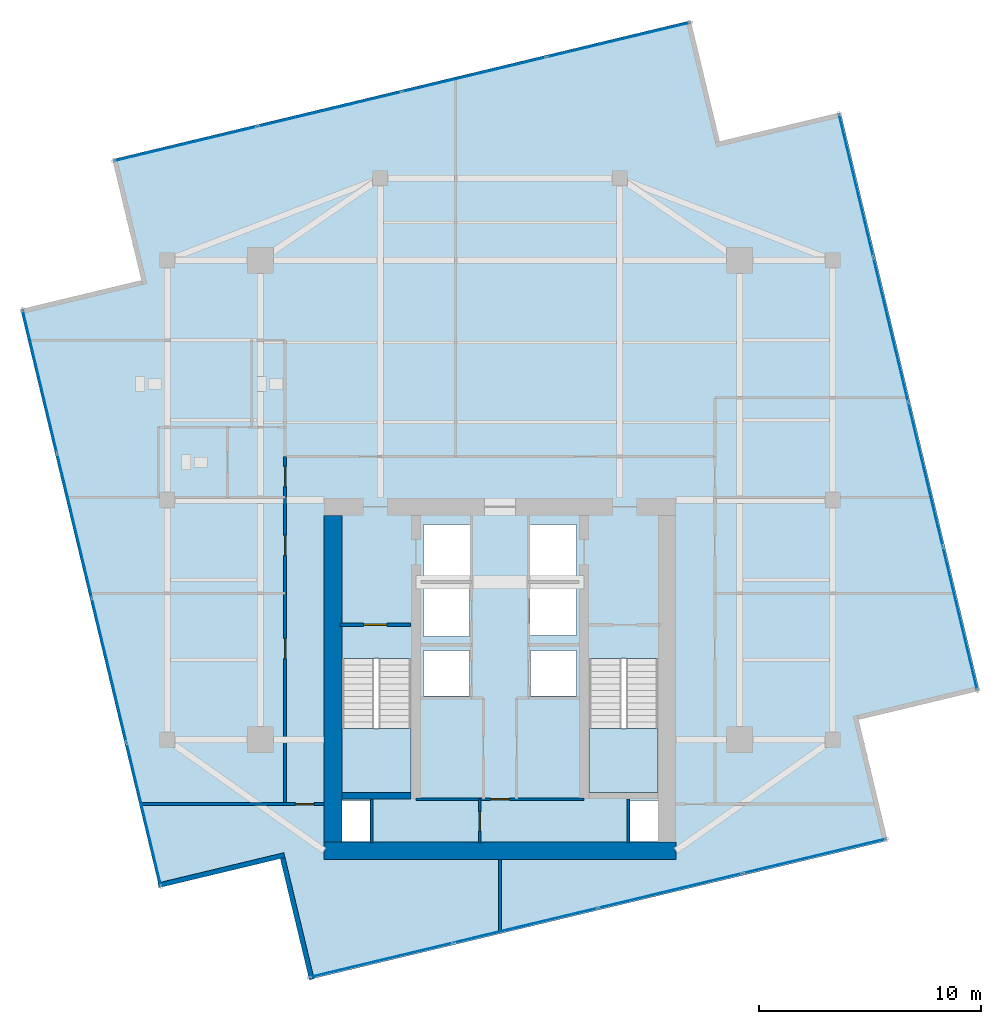
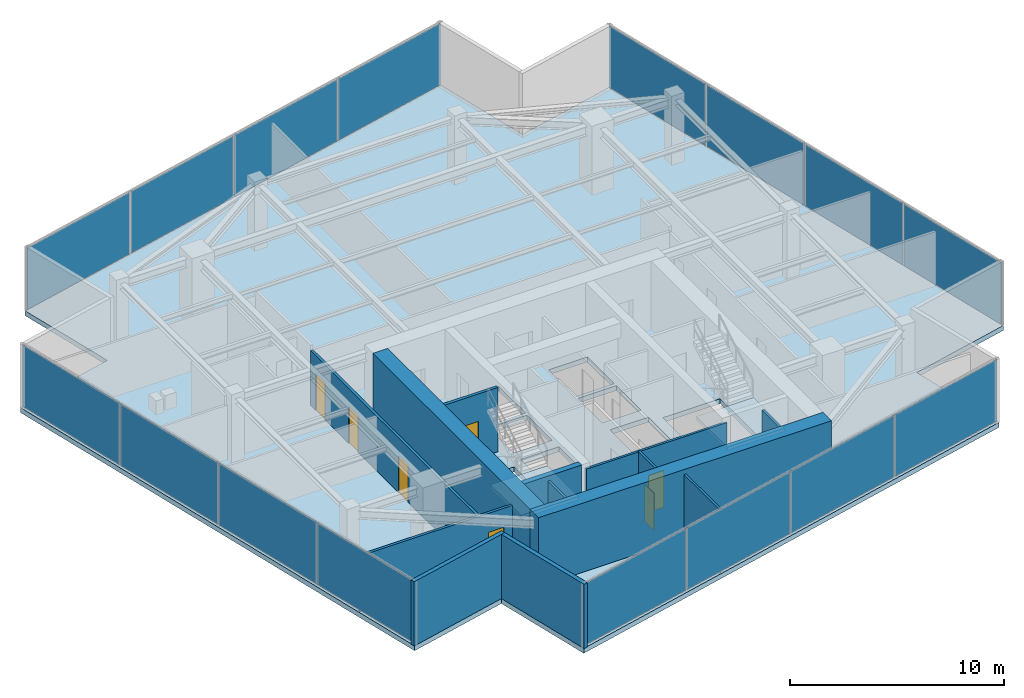
# One storey, part 18 of 22: 16 plates, 13 walls, 7 doors, 3 slabs, 7 openings, 6 elements without a shape of their own.
"""IFC4 building model written with IfcOpenShell, lengths in metres."""

from ifc_helpers import new_model, si_unit, direction, frame, frame_2d, origin, origin_2d, place, context, subcontext, project, spatial, polyline, rectangle, outline, extrude, source, transform, mapped, material, layer, layer_set, type_object, type_shapes, element, fill, aggregate, save


model = new_model("IFC4")

# Units and contexts
model_context = context("Model", 3, precision=1e-05, world=origin(), true_north=direction((0.0, 1.0)))
body_context = subcontext(model_context, "Body", "Model", "MODEL_VIEW")
ifc_project = project(units=[si_unit("LENGTHUNIT", "METRE"), si_unit("AREAUNIT", "SQUARE_METRE"), si_unit("VOLUMEUNIT", "CUBIC_METRE"), si_unit("PLANEANGLEUNIT", "RADIAN"), si_unit("MASSUNIT", "GRAM", prefix="KILO")], contexts=[model_context])

# Site, building, storey
site_placement = place(None, origin())
site = spatial("IfcSite", under=ifc_project, at=site_placement, CompositionType="ELEMENT")
building_placement = place(site_placement, origin())
building = spatial("IfcBuilding", under=site, at=building_placement, Name="Krantzveldt Concourse Tower", CompositionType="ELEMENT")
storey_placement = place(building_placement, frame((0.0, 0.0, 355.35009765625)))
storey = spatial("IfcBuildingStorey", under=building, at=storey_placement, Name="L87", CompositionType="ELEMENT", Elevation=355.35009765625)

# Stair, slab
ifc_material_1 = material(Name="Precast concrete C40/50", Category="concrete")
stair_type = type_object("IfcStairType", Name="STR-CORE-DOGLEG", PredefinedType="HALF_TURN_STAIR", material=ifc_material_1)
stair_1_placement = place(storey_placement, origin())
stair_1 = element("IfcStair", 1, at=stair_1_placement, inside=storey, type_object=stair_type, Name="L87 Protected Escape Stair ST-1", PredefinedType="HALF_TURN_STAIR")
ifc_layer_1 = layer(ifc_material_1, 0.199951171875, Name="Precast concrete C40/50", Category="concrete")
ifc_layer_set_1 = layer_set([ifc_layer_1], Name="Precast concrete C40/50 (SL-LANDING-200)")
slab_type_1 = type_object("IfcSlabType", Name="SL-LANDING-200", PredefinedType="LANDING", material=ifc_layer_set_1)
slab_1_placement = place(storey_placement, frame((0.0, 0.0, 1.77490234375)))
slab_1 = element("IfcSlab", 2, at=slab_1_placement, type_object=slab_type_1, Name="ST-1 landing 1", PredefinedType="LANDING", context=body_context, shape_type="SweptSolid", body=[
    extrude(outline(polyline([(28.8798828125, 16.4150390625), (28.8798828125, 13.52001953125), (31.97998046875, 13.52001953125), (31.97998046875, 16.4150390625), (28.8798828125, 16.4150390625)])), origin(), (0.0, 0.0, 1.0), 0.199951171875),
])
aggregate(stair_1, [slab_1])

stair_2_placement = place(storey_placement, origin())
stair_2 = element("IfcStair", 3, at=stair_2_placement, inside=storey, type_object=stair_type, Name="L87 Protected Escape Stair ST-2", PredefinedType="HALF_TURN_STAIR")
slab_2_placement = place(storey_placement, frame((0.0, 0.0, 1.77490234375)))
slab_2 = element("IfcSlab", 4, at=slab_2_placement, type_object=slab_type_1, Name="ST-2 landing 1", PredefinedType="LANDING", context=body_context, shape_type="SweptSolid", body=[
    extrude(outline(polyline([(40.02001953125, 16.4150390625), (40.02001953125, 13.52001953125), (43.1201171875, 13.52001953125), (43.1201171875, 16.4150390625), (40.02001953125, 16.4150390625)])), origin(), (0.0, 0.0, 1.0), 0.199951171875),
])
aggregate(stair_2, [slab_2])

# Slab
ifc_material_2 = material(Name="Concrete C40/50", Category="concrete")
ifc_layer_2 = layer(ifc_material_2, 0.280029296875, Name="Concrete C40/50", Category="concrete")
ifc_layer_set_2 = layer_set([ifc_layer_2], Name="Concrete C40/50 (SL-SL-TWR280)")
slab_type_2 = type_object("IfcSlabType", Name="SL-SL-TWR280", PredefinedType="FLOOR", material=ifc_layer_set_2)
slab_3_placement = place(storey_placement, frame((0.0, 0.0, -0.280029296875)))
element("IfcSlab", 5, at=slab_3_placement, inside=storey, type_object=slab_type_2, Name="SL-L87-MAIN", PredefinedType="FLOOR", context=body_context, shape_type="SweptSolid", body=[
    extrude(outline(polyline([(45.901611328125, 42.85791015625), (44.59423828125, 48.30322265625), (18.53466796875, 42.046875), (19.842041015625, 36.6015625), (14.396728515625, 35.294189453125), (20.653076171875, 9.23486328125), (26.098388671875, 10.5419921875), (27.40576171875, 5.0966796875), (53.46533203125, 11.35302734375), (52.157958984375, 16.79833984375), (57.603271484375, 18.105712890625), (51.346923828125, 44.165283203125), (45.901611328125, 42.85791015625)]), holes=[polyline([(28.8798828125, 19.547607421875), (28.8798828125, 13.52001953125), (31.97998046875, 13.52001953125), (31.97998046875, 19.547607421875), (28.8798828125, 19.547607421875)]), polyline([(40.02001953125, 19.547607421875), (40.02001953125, 13.52001953125), (43.1201171875, 13.52001953125), (43.1201171875, 19.547607421875), (40.02001953125, 19.547607421875)]), polyline([(32.550048828125, 23.10009765625), (34.64990234375, 23.10009765625), (34.64990234375, 25.60009765625), (32.550048828125, 25.60009765625), (32.550048828125, 23.10009765625)]), polyline([(37.35009765625, 23.10009765625), (39.449951171875, 23.10009765625), (39.449951171875, 25.60009765625), (37.35009765625, 25.60009765625), (37.35009765625, 23.10009765625)]), polyline([(37.35009765625, 20.60009765625), (39.449951171875, 20.60009765625), (39.449951171875, 22.89990234375), (37.35009765625, 22.89990234375), (37.35009765625, 20.60009765625)]), polyline([(32.550048828125, 20.550048828125), (34.6201171875, 20.550048828125), (34.6201171875, 22.89990234375), (32.550048828125, 22.89990234375), (32.550048828125, 20.550048828125)]), polyline([(32.550048828125, 17.8798828125), (34.6201171875, 17.8798828125), (34.6201171875, 19.919921875), (32.550048828125, 19.919921875), (32.550048828125, 17.8798828125)]), polyline([(37.3798828125, 17.8798828125), (39.449951171875, 17.8798828125), (39.449951171875, 19.919921875), (37.3798828125, 19.919921875), (37.3798828125, 17.8798828125)]), polyline([(28.8798828125, 11.320068359375), (30.139892578125, 11.320068359375), (30.139892578125, 13.159912109375), (28.8798828125, 13.159912109375), (28.8798828125, 11.320068359375)]), polyline([(41.860107421875, 11.320068359375), (43.1201171875, 11.320068359375), (43.1201171875, 13.159912109375), (41.860107421875, 13.159912109375), (41.860107421875, 11.320068359375)])]), origin(), (0.0, 0.0, 1.0), 0.280029296875),
])

# Curtain wall, plates
ifc_material_3 = material(Name="Anodised aluminium 6063-T6", Category="aluminium")
curtain_wall_type = type_object("IfcCurtainWallType", Name="CW4", PredefinedType="USERDEFINED", material=ifc_material_3)
curtain_wall_1_placement = place(storey_placement, origin())
curtain_wall_1 = element("IfcCurtainWall", 6, at=curtain_wall_1_placement, inside=storey, type_object=curtain_wall_type, Name="CW-L87-F01", ObjectType="UNITISED CURTAIN WALL", PredefinedType="USERDEFINED")
ifc_material_4 = material(Name="Bronze-tinted laminated low-E IGU glass", Category="glass")
ifc_layer_3 = layer(ifc_material_4, 0.031982421875, Name="Bronze-tinted laminated low-E IGU glass", Category="glass")
ifc_layer_set_3 = layer_set([ifc_layer_3], Name="Bronze-tinted laminated low-E IGU glass (CW-GLZ-32)")
plate_type = type_object("IfcPlateType", Name="CW-GLZ-32", PredefinedType="CURTAIN_PANEL", material=ifc_layer_set_3)
shared_shape_1 = source(origin(), body_context, "Body", "SweptSolid", [
    extrude(rectangle(XDim=6.594970703125, YDim=0.031982421875, at=origin_2d()), origin(), (0.0, 0.0, 1.0), 3.530029296875),
])
plate_1_placement = place(storey_placement, frame((41.3408203125, 47.429443359375, 0.06982421875), z_axis=(0.0, 0.0, 1.0), x_axis=(-0.972369896884, -0.233445461796, 0.0)))
plate_1 = element("IfcPlate", 7, at=plate_1_placement, type_object=plate_type, Name="CW-Z56 panel 1.1", PredefinedType="CURTAIN_PANEL", context=body_context, shape_type="MappedRepresentation", body=[
    mapped(shared_shape_1, transform((0.0, 0.0, 0.0), x_axis=(1.0, 0.0, 0.0), y_axis=(0.0, 1.0, 0.0), z_axis=(0.0, 0.0, 1.0), scale=1.0)),
])
plate_2_placement = place(storey_placement, frame((21.830322265625, 42.745361328125, 0.06982421875), z_axis=(0.0, 0.0, 1.0), x_axis=(-0.972369896884, -0.233445461796, 0.0)))
plate_2 = element("IfcPlate", 8, at=plate_2_placement, type_object=plate_type, Name="CW-Z56 panel 4.1", PredefinedType="CURTAIN_PANEL", context=body_context, shape_type="MappedRepresentation", body=[
    mapped(shared_shape_1, transform((0.0, 0.0, 0.0), x_axis=(1.0, 0.0, 0.0), y_axis=(0.0, 1.0, 0.0), z_axis=(0.0, 0.0, 1.0), scale=1.0)),
])

curtain_wall_2_placement = place(storey_placement, origin())
curtain_wall_2 = element("IfcCurtainWall", 9, at=curtain_wall_2_placement, inside=storey, type_object=curtain_wall_type, Name="CW-L87-F04", ObjectType="UNITISED CURTAIN WALL", PredefinedType="USERDEFINED")
plate_3_placement = place(storey_placement, frame((15.2705078125, 32.040771484375, 0.06982421875), z_axis=(0.0, 0.0, 1.0), x_axis=(0.233445461796, -0.972369896884, 0.0)))
plate_3 = element("IfcPlate", 10, at=plate_3_placement, type_object=plate_type, Name="CW-Z56 panel 1.1", PredefinedType="CURTAIN_PANEL", context=body_context, shape_type="MappedRepresentation", body=[
    mapped(shared_shape_1, transform((0.0, 0.0, 0.0), x_axis=(1.0, 0.0, 0.0), y_axis=(0.0, 1.0, 0.0), z_axis=(0.0, 0.0, 1.0), scale=1.0)),
])
plate_4_placement = place(storey_placement, frame((19.95458984375, 12.5302734375, 0.06982421875), z_axis=(0.0, 0.0, 1.0), x_axis=(0.233445461796, -0.972369896884, 0.0)))
plate_4 = element("IfcPlate", 11, at=plate_4_placement, type_object=plate_type, Name="CW-Z56 panel 4.1", PredefinedType="CURTAIN_PANEL", context=body_context, shape_type="MappedRepresentation", body=[
    mapped(shared_shape_1, transform((0.0, 0.0, 0.0), x_axis=(1.0, 0.0, 0.0), y_axis=(0.0, 1.0, 0.0), z_axis=(0.0, 0.0, 1.0), scale=1.0)),
])

curtain_wall_3_placement = place(storey_placement, origin())
curtain_wall_3 = element("IfcCurtainWall", 12, at=curtain_wall_3_placement, inside=storey, type_object=curtain_wall_type, Name="CW-L87-F07", ObjectType="UNITISED CURTAIN WALL", PredefinedType="USERDEFINED")
plate_5_placement = place(storey_placement, frame((30.6591796875, 5.970458984375, 0.06982421875), z_axis=(0.0, 0.0, 1.0), x_axis=(0.972369896884, 0.233445461796, 0.0)))
plate_5 = element("IfcPlate", 13, at=plate_5_placement, type_object=plate_type, Name="CW-Z56 panel 1.1", PredefinedType="CURTAIN_PANEL", context=body_context, shape_type="MappedRepresentation", body=[
    mapped(shared_shape_1, transform((0.0, 0.0, 0.0), x_axis=(1.0, 0.0, 0.0), y_axis=(0.0, 1.0, 0.0), z_axis=(0.0, 0.0, 1.0), scale=1.0)),
])
plate_6_placement = place(storey_placement, frame((50.169677734375, 10.654541015625, 0.06982421875), z_axis=(0.0, 0.0, 1.0), x_axis=(0.972369896884, 0.233445461796, 0.0)))
plate_6 = element("IfcPlate", 14, at=plate_6_placement, type_object=plate_type, Name="CW-Z56 panel 4.1", PredefinedType="CURTAIN_PANEL", context=body_context, shape_type="MappedRepresentation", body=[
    mapped(shared_shape_1, transform((0.0, 0.0, 0.0), x_axis=(1.0, 0.0, 0.0), y_axis=(0.0, 1.0, 0.0), z_axis=(0.0, 0.0, 1.0), scale=1.0)),
])

curtain_wall_4_placement = place(storey_placement, origin())
curtain_wall_4 = element("IfcCurtainWall", 15, at=curtain_wall_4_placement, inside=storey, type_object=curtain_wall_type, Name="CW-L87-F10", ObjectType="UNITISED CURTAIN WALL", PredefinedType="USERDEFINED")
plate_7_placement = place(storey_placement, frame((56.7294921875, 21.359130859375, 0.06982421875), z_axis=(0.0, 0.0, 1.0), x_axis=(-0.233445461796, 0.972369896884, 0.0)))
plate_7 = element("IfcPlate", 16, at=plate_7_placement, type_object=plate_type, Name="CW-Z56 panel 1.1", PredefinedType="CURTAIN_PANEL", context=body_context, shape_type="MappedRepresentation", body=[
    mapped(shared_shape_1, transform((0.0, 0.0, 0.0), x_axis=(1.0, 0.0, 0.0), y_axis=(0.0, 1.0, 0.0), z_axis=(0.0, 0.0, 1.0), scale=1.0)),
])
plate_8_placement = place(storey_placement, frame((52.04541015625, 40.869873046875, 0.06982421875), z_axis=(0.0, 0.0, 1.0), x_axis=(-0.233445461796, 0.972369896884, 0.0)))
plate_8 = element("IfcPlate", 17, at=plate_8_placement, type_object=plate_type, Name="CW-Z56 panel 4.1", PredefinedType="CURTAIN_PANEL", context=body_context, shape_type="MappedRepresentation", body=[
    mapped(shared_shape_1, transform((0.0, 0.0, 0.0), x_axis=(1.0, 0.0, 0.0), y_axis=(0.0, 1.0, 0.0), z_axis=(0.0, 0.0, 1.0), scale=1.0)),
])

# Plate
shared_shape_2 = source(origin(), body_context, "Body", "SweptSolid", [
    extrude(rectangle(XDim=6.6298828125, YDim=0.031982421875, at=origin_2d()), origin(), (0.0, 0.0, 1.0), 3.530029296875),
])
type_shapes(plate_type, [shared_shape_1, shared_shape_2])
plate_9_placement = place(storey_placement, frame((34.843017578125, 45.86962890625, 0.06982421875), z_axis=(0.0, 0.0, 1.0), x_axis=(-0.972369896884, -0.233445461796, 0.0)))
plate_9 = element("IfcPlate", 18, at=plate_9_placement, type_object=plate_type, Name="CW-Z56 panel 2.1", PredefinedType="CURTAIN_PANEL", context=body_context, shape_type="MappedRepresentation", body=[
    mapped(shared_shape_2, transform((0.0, 0.0, 0.0), x_axis=(1.0, 0.0, 0.0), y_axis=(0.0, 1.0, 0.0), z_axis=(0.0, 0.0, 1.0), scale=1.0)),
])

plate_10_placement = place(storey_placement, frame((28.328125, 44.305419921875, 0.06982421875), z_axis=(0.0, 0.0, 1.0), x_axis=(-0.972369896884, -0.233445461796, 0.0)))
plate_10 = element("IfcPlate", 19, at=plate_10_placement, type_object=plate_type, Name="CW-Z56 panel 3.1", PredefinedType="CURTAIN_PANEL", context=body_context, shape_type="MappedRepresentation", body=[
    mapped(shared_shape_2, transform((0.0, 0.0, 0.0), x_axis=(1.0, 0.0, 0.0), y_axis=(0.0, 1.0, 0.0), z_axis=(0.0, 0.0, 1.0), scale=1.0)),
])

aggregate(curtain_wall_1, [plate_1, plate_9, plate_10, plate_2])

plate_11_placement = place(storey_placement, frame((16.830322265625, 25.54296875, 0.06982421875), z_axis=(0.0, 0.0, 1.0), x_axis=(0.233445461796, -0.972369896884, 0.0)))
plate_11 = element("IfcPlate", 20, at=plate_11_placement, type_object=plate_type, Name="CW-Z56 panel 2.1", PredefinedType="CURTAIN_PANEL", context=body_context, shape_type="MappedRepresentation", body=[
    mapped(shared_shape_2, transform((0.0, 0.0, 0.0), x_axis=(1.0, 0.0, 0.0), y_axis=(0.0, 1.0, 0.0), z_axis=(0.0, 0.0, 1.0), scale=1.0)),
])

plate_12_placement = place(storey_placement, frame((18.39453125, 19.028076171875, 0.06982421875), z_axis=(0.0, 0.0, 1.0), x_axis=(0.233445461796, -0.972369896884, 0.0)))
plate_12 = element("IfcPlate", 21, at=plate_12_placement, type_object=plate_type, Name="CW-Z56 panel 3.1", PredefinedType="CURTAIN_PANEL", context=body_context, shape_type="MappedRepresentation", body=[
    mapped(shared_shape_2, transform((0.0, 0.0, 0.0), x_axis=(1.0, 0.0, 0.0), y_axis=(0.0, 1.0, 0.0), z_axis=(0.0, 0.0, 1.0), scale=1.0)),
])

aggregate(curtain_wall_2, [plate_3, plate_11, plate_12, plate_4])

plate_13_placement = place(storey_placement, frame((37.156982421875, 7.530517578125, 0.06982421875), z_axis=(0.0, 0.0, 1.0), x_axis=(0.972369896884, 0.233445461796, 0.0)))
plate_13 = element("IfcPlate", 22, at=plate_13_placement, type_object=plate_type, Name="CW-Z56 panel 2.1", PredefinedType="CURTAIN_PANEL", context=body_context, shape_type="MappedRepresentation", body=[
    mapped(shared_shape_2, transform((0.0, 0.0, 0.0), x_axis=(1.0, 0.0, 0.0), y_axis=(0.0, 1.0, 0.0), z_axis=(0.0, 0.0, 1.0), scale=1.0)),
])

plate_14_placement = place(storey_placement, frame((43.671875, 9.094482421875, 0.06982421875), z_axis=(0.0, 0.0, 1.0), x_axis=(0.972369896884, 0.233445461796, 0.0)))
plate_14 = element("IfcPlate", 23, at=plate_14_placement, type_object=plate_type, Name="CW-Z56 panel 3.1", PredefinedType="CURTAIN_PANEL", context=body_context, shape_type="MappedRepresentation", body=[
    mapped(shared_shape_2, transform((0.0, 0.0, 0.0), x_axis=(1.0, 0.0, 0.0), y_axis=(0.0, 1.0, 0.0), z_axis=(0.0, 0.0, 1.0), scale=1.0)),
])

aggregate(curtain_wall_3, [plate_5, plate_13, plate_14, plate_6])

plate_15_placement = place(storey_placement, frame((55.169677734375, 27.85693359375, 0.06982421875), z_axis=(0.0, 0.0, 1.0), x_axis=(-0.233445461796, 0.972369896884, 0.0)))
plate_15 = element("IfcPlate", 24, at=plate_15_placement, type_object=plate_type, Name="CW-Z56 panel 2.1", PredefinedType="CURTAIN_PANEL", context=body_context, shape_type="MappedRepresentation", body=[
    mapped(shared_shape_2, transform((0.0, 0.0, 0.0), x_axis=(1.0, 0.0, 0.0), y_axis=(0.0, 1.0, 0.0), z_axis=(0.0, 0.0, 1.0), scale=1.0)),
])

plate_16_placement = place(storey_placement, frame((53.60546875, 34.371826171875, 0.06982421875), z_axis=(0.0, 0.0, 1.0), x_axis=(-0.233445461796, 0.972369896884, 0.0)))
plate_16 = element("IfcPlate", 25, at=plate_16_placement, type_object=plate_type, Name="CW-Z56 panel 3.1", PredefinedType="CURTAIN_PANEL", context=body_context, shape_type="MappedRepresentation", body=[
    mapped(shared_shape_2, transform((0.0, 0.0, 0.0), x_axis=(1.0, 0.0, 0.0), y_axis=(0.0, 1.0, 0.0), z_axis=(0.0, 0.0, 1.0), scale=1.0)),
])

aggregate(curtain_wall_4, [plate_7, plate_15, plate_16, plate_8])

# Walls
ifc_layer_4 = layer(ifc_material_3, 0.219970703125, Name="Anodised aluminium 6063-T6", Category="aluminium")
ifc_layer_set_4 = layer_set([ifc_layer_4], Name="Anodised aluminium 6063-T6 (WL-EXT-NOTCH220)")
wall_type_1 = type_object("IfcWallType", Name="WL-EXT-NOTCH220", PredefinedType="ELEMENTEDWALL", material=ifc_layer_set_4)
wall_1_placement = place(storey_placement, frame((20.603271484375, 9.3359375, 0.0), z_axis=(0.0, 0.0, 1.0), x_axis=(0.972367961768, 0.233453521986, 0.0)))
element("IfcWall", 26, at=wall_1_placement, inside=storey, type_object=wall_type_1, Name="EW-L87-NCH05", PredefinedType="ELEMENTEDWALL", context=body_context, shape_type="SweptSolid", body=[
    extrude(rectangle(XDim=5.844970703125, YDim=0.219970703125, at=frame_2d((2.92236328125, 0.0))), origin(), (0.0, 0.0, 1.0), 3.669921875),
])
wall_2_placement = place(storey_placement, frame((26.205322265625, 10.56787109375, 0.0), z_axis=(0.0, 0.0, 1.0), x_axis=(0.233456668573, -0.972367206306, 0.0)))
element("IfcWall", 27, at=wall_2_placement, inside=storey, type_object=wall_type_1, Name="EW-L87-NCH06", PredefinedType="ELEMENTEDWALL", context=body_context, shape_type="SweptSolid", body=[
    extrude(rectangle(XDim=5.625244140625, YDim=0.219970703125, at=frame_2d((2.8125, 0.0))), origin(), (0.0, 0.0, 1.0), 3.669921875),
])

# Wall, opening, door
ifc_material_5 = material(Name="Fire-rated gypsum plasterboard on steel stud", Category="steel")
ifc_layer_5 = layer(ifc_material_5, 0.1201171875, Name="Fire-rated gypsum plasterboard on steel stud", Category="steel")
ifc_layer_set_5 = layer_set([ifc_layer_5], Name="Fire-rated gypsum plasterboard on steel stud (WL-PART-120)")
wall_type_2 = type_object("IfcWallType", Name="WL-PART-120", PredefinedType="PARTITIONING", material=ifc_layer_set_5)
wall_3_placement = place(storey_placement, frame((32.2099609375, 13.219970703125, 0.0), z_axis=(0.0, 0.0, 1.0), x_axis=(1.0, 0.0, 0.0)))
wall_3 = element("IfcWall", 28, at=wall_3_placement, inside=storey, type_object=wall_type_2, Name="WP-L87-CS2H", PredefinedType="PARTITIONING", context=body_context, shape_type="SweptSolid", body=[
    extrude(rectangle(XDim=7.580078125, YDim=0.1201171875, at=frame_2d((3.7900390625, 0.0))), origin(), (0.0, 0.0, 1.0), 3.669921875),
])
opening_1_placement = place(wall_3_placement, frame((3.364990234375, 0.0, 0.0)))
opening_1 = element("IfcOpeningElement", 29, at=opening_1_placement, cuts=wall_3, Name="Opening D-IN085", PredefinedType="OPENING", context=body_context, shape_type="SweptSolid", body=[
    extrude(rectangle(XDim=0.85009765625, YDim=2.10009765625, at=frame_2d((0.425048828125, 1.050048828125))), frame((0.0, 0.070068359375, 0.0), z_axis=(0.0, -1.0, 0.0), x_axis=(1.0, 0.0, 0.0)), (0.0, 0.0, 1.0), 0.14013671875),
])
ifc_material_6 = material(Name="Hardwood timber", Category="wood")
door_type_1 = type_object("IfcDoorType", Name="DR-INT-850", OperationType="SINGLE_SWING_LEFT", PredefinedType="DOOR", material=ifc_material_6)
door_1_placement = place(opening_1_placement, origin())
door_1 = element("IfcDoor", 30, at=door_1_placement, inside=storey, type_object=door_type_1, Name="DR-L87-LLBS", OperationType="SINGLE_SWING_RIGHT", OverallHeight=2.10009765625, OverallWidth=0.85009765625, PredefinedType="DOOR", context=body_context, shape_type="SweptSolid", body=[
    extrude(rectangle(XDim=0.85009765625, YDim=2.10009765625, at=frame_2d((0.425048828125, 1.050048828125))), frame((0.0, 0.02490234375, 0.0), z_axis=(0.0, -1.0, 0.0), x_axis=(1.0, 0.0, 0.0)), (0.0, 0.0, 1.0), 0.050048828125),
])
fill(opening_1, door_1)

wall_4_placement = place(storey_placement, frame((35.080078125, 11.25, 0.0), z_axis=(0.0, 0.0, 1.0), x_axis=(0.0, 1.0, 0.0)))
wall_4 = element("IfcWall", 31, at=wall_4_placement, inside=storey, type_object=wall_type_2, Name="WP-L87-CSA-V", PredefinedType="PARTITIONING", context=body_context, shape_type="SweptSolid", body=[
    extrude(rectangle(XDim=1.969970703125, YDim=0.1201171875, at=frame_2d((0.98486328125, 0.0))), origin(), (0.0, 0.0, 1.0), 3.669921875),
])
opening_2_placement = place(wall_4_placement, frame((0.544921875, 0.0, 0.0)))
opening_2 = element("IfcOpeningElement", 32, at=opening_2_placement, cuts=wall_4, Name="Opening D-IN085", PredefinedType="OPENING", context=body_context, shape_type="SweptSolid", body=[
    extrude(rectangle(XDim=0.85009765625, YDim=2.10009765625, at=frame_2d((0.425048828125, 1.050048828125))), frame((0.0, 0.070068359375, 0.0), z_axis=(0.0, -1.0, 0.0), x_axis=(1.0, 0.0, 0.0)), (0.0, 0.0, 1.0), 0.14013671875),
])
door_2_placement = place(opening_2_placement, origin())
door_2 = element("IfcDoor", 33, at=door_2_placement, inside=storey, type_object=door_type_1, Name="DR-L87-CSA1", OperationType="SINGLE_SWING_LEFT", OverallHeight=2.10009765625, OverallWidth=0.85009765625, PredefinedType="DOOR", context=body_context, shape_type="SweptSolid", body=[
    extrude(rectangle(XDim=0.85009765625, YDim=2.10009765625, at=frame_2d((0.425048828125, 1.050048828125))), frame((0.0, 0.02490234375, 0.0), z_axis=(0.0, -1.0, 0.0), x_axis=(1.0, 0.0, 0.0)), (0.0, 0.0, 1.0), 0.050048828125),
])
fill(opening_2, door_2)

# Wall
wall_5_placement = place(storey_placement, frame((36.0, 7.252685546875, 0.0), z_axis=(0.0, 0.0, 1.0), x_axis=(0.0, 1.0, 0.0)))
element("IfcWall", 34, at=wall_5_placement, inside=storey, type_object=wall_type_2, Name="WP-L87-SSMD", PredefinedType="PARTITIONING", context=body_context, shape_type="SweptSolid", body=[
    extrude(rectangle(XDim=3.247314453125, YDim=0.1201171875, at=frame_2d((1.62353515625, 0.0))), origin(), (0.0, 0.0, 1.0), 3.669921875),
])

# Wall, openings, doors
ifc_layer_6 = layer(ifc_material_5, 0.139892578125, Name="Fire-rated gypsum plasterboard on steel stud", Category="steel")
ifc_layer_set_6 = layer_set([ifc_layer_6], Name="Fire-rated gypsum plasterboard on steel stud (WL-PART-140)")
wall_type_3 = type_object("IfcWallType", Name="WL-PART-140", PredefinedType="PARTITIONING", material=ifc_layer_set_6)
wall_6_placement = place(storey_placement, frame((26.320068359375, 13.0, 0.0), z_axis=(0.0, 0.0, 1.0), x_axis=(0.0, 1.0, 0.0)))
wall_6 = element("IfcWall", 35, at=wall_6_placement, inside=storey, type_object=wall_type_3, Name="WP-L87-CWEST", PredefinedType="PARTITIONING", context=body_context, shape_type="SweptSolid", body=[
    extrude(rectangle(XDim=15.659912109375, YDim=0.139892578125, at=frame_2d((7.830078125, 0.0))), origin(), (0.0, 0.0, 1.0), 3.1298828125),
])
opening_3_placement = place(wall_6_placement, frame((14.300048828125, 0.0, 0.0)))
opening_3 = element("IfcOpeningElement", 36, at=opening_3_placement, cuts=wall_6, Name="Opening D-IN090", PredefinedType="OPENING", context=body_context, shape_type="SweptSolid", body=[
    extrude(rectangle(XDim=0.89990234375, YDim=2.10009765625, at=frame_2d((0.449951171875, 1.050048828125))), frame((0.0, 0.080078125, 0.0), z_axis=(0.0, -1.0, 0.0), x_axis=(1.0, 0.0, 0.0)), (0.0, 0.0, 1.0), 0.159912109375),
])
opening_4_placement = place(wall_6_placement, frame((6.550048828125, 0.0, 0.0)))
opening_4 = element("IfcOpeningElement", 37, at=opening_4_placement, cuts=wall_6, Name="Opening D-IN090", PredefinedType="OPENING", context=body_context, shape_type="SweptSolid", body=[
    extrude(rectangle(XDim=0.89990234375, YDim=2.10009765625, at=frame_2d((0.449951171875, 1.050048828125))), frame((0.0, 0.080078125, 0.0), z_axis=(0.0, -1.0, 0.0), x_axis=(1.0, 0.0, 0.0)), (0.0, 0.0, 1.0), 0.159912109375),
])
opening_5_placement = place(wall_6_placement, frame((11.2099609375, 0.0, 0.0)))
opening_5 = element("IfcOpeningElement", 38, at=opening_5_placement, cuts=wall_6, Name="Opening D-IN090", PredefinedType="OPENING", context=body_context, shape_type="SweptSolid", body=[
    extrude(rectangle(XDim=0.89990234375, YDim=2.10009765625, at=frame_2d((0.449951171875, 1.050048828125))), frame((0.0, 0.080078125, 0.0), z_axis=(0.0, -1.0, 0.0), x_axis=(1.0, 0.0, 0.0)), (0.0, 0.0, 1.0), 0.159912109375),
])
door_type_2 = type_object("IfcDoorType", Name="DR-INT-900", OperationType="SINGLE_SWING_LEFT", PredefinedType="DOOR", material=ifc_material_6)
door_3_placement = place(opening_3_placement, origin())
door_3 = element("IfcDoor", 39, at=door_3_placement, inside=storey, type_object=door_type_2, Name="DR-L87-WCV", OperationType="SINGLE_SWING_LEFT", OverallHeight=2.10009765625, OverallWidth=0.89990234375, PredefinedType="DOOR", context=body_context, shape_type="SweptSolid", body=[
    extrude(rectangle(XDim=0.89990234375, YDim=2.10009765625, at=frame_2d((0.449951171875, 1.050048828125))), frame((0.0, 0.02490234375, 0.0), z_axis=(0.0, -1.0, 0.0), x_axis=(1.0, 0.0, 0.0)), (0.0, 0.0, 1.0), 0.050048828125),
])
fill(opening_3, door_3)
door_4_placement = place(opening_4_placement, origin())
door_4 = element("IfcDoor", 40, at=door_4_placement, inside=storey, type_object=door_type_2, Name="DR-L87-WR1", OperationType="SINGLE_SWING_LEFT", OverallHeight=2.10009765625, OverallWidth=0.89990234375, PredefinedType="DOOR", context=body_context, shape_type="SweptSolid", body=[
    extrude(rectangle(XDim=0.89990234375, YDim=2.10009765625, at=frame_2d((0.449951171875, 1.050048828125))), frame((0.0, 0.02490234375, 0.0), z_axis=(0.0, -1.0, 0.0), x_axis=(1.0, 0.0, 0.0)), (0.0, 0.0, 1.0), 0.050048828125),
])
fill(opening_4, door_4)
door_5_placement = place(opening_5_placement, origin())
door_5 = element("IfcDoor", 41, at=door_5_placement, inside=storey, type_object=door_type_2, Name="DR-L87-WR2", OperationType="SINGLE_SWING_LEFT", OverallHeight=2.10009765625, OverallWidth=0.89990234375, PredefinedType="DOOR", context=body_context, shape_type="SweptSolid", body=[
    extrude(rectangle(XDim=0.89990234375, YDim=2.10009765625, at=frame_2d((0.449951171875, 1.050048828125))), frame((0.0, 0.02490234375, 0.0), z_axis=(0.0, -1.0, 0.0), x_axis=(1.0, 0.0, 0.0)), (0.0, 0.0, 1.0), 0.050048828125),
])
fill(opening_5, door_5)

# Wall, opening, door
wall_7_placement = place(storey_placement, frame((19.841796875, 13.0, 0.0), z_axis=(0.0, 0.0, 1.0), x_axis=(1.0, 0.0, 0.0)))
wall_7 = element("IfcWall", 42, at=wall_7_placement, inside=storey, type_object=wall_type_3, Name="WP-L87-CSBOTW", PredefinedType="PARTITIONING", context=body_context, shape_type="SweptSolid", body=[
    extrude(rectangle(XDim=8.23828125, YDim=0.139892578125, at=frame_2d((4.119140625, 0.0))), origin(), (0.0, 0.0, 1.0), 3.179931640625),
])
opening_6_placement = place(wall_7_placement, frame((6.933349609375, 0.0, 0.0)))
opening_6 = element("IfcOpeningElement", 43, at=opening_6_placement, cuts=wall_7, Name="Opening D-IN085", PredefinedType="OPENING", context=body_context, shape_type="SweptSolid", body=[
    extrude(rectangle(XDim=0.85009765625, YDim=2.10009765625, at=frame_2d((0.425048828125, 1.050048828125))), frame((0.0, 0.080078125, 0.0), z_axis=(0.0, -1.0, 0.0), x_axis=(1.0, 0.0, 0.0)), (0.0, 0.0, 1.0), 0.159912109375),
])
door_6_placement = place(opening_6_placement, origin())
door_6 = element("IfcDoor", 44, at=door_6_placement, inside=storey, type_object=door_type_1, Name="DR-L87-SR1", OperationType="SINGLE_SWING_LEFT", OverallHeight=2.10009765625, OverallWidth=0.85009765625, PredefinedType="DOOR", context=body_context, shape_type="SweptSolid", body=[
    extrude(rectangle(XDim=0.85009765625, YDim=2.10009765625, at=frame_2d((0.425048828125, 1.050048828125))), frame((0.0, 0.02490234375, 0.0), z_axis=(0.0, -1.0, 0.0), x_axis=(1.0, 0.0, 0.0)), (0.0, 0.0, 1.0), 0.050048828125),
])
fill(opening_6, door_6)

# Walls
ifc_layer_7 = layer(ifc_material_5, 0.139892578125, Name="Fire-rated gypsum plasterboard on steel stud", Category="steel")
ifc_layer_set_7 = layer_set([ifc_layer_7], Name="Fire-rated gypsum plasterboard on steel stud (WL-PART-FR140)")
wall_type_4 = type_object("IfcWallType", Name="WL-PART-FR140", PredefinedType="PARTITIONING", material=ifc_layer_set_7)
for number, where, z_axis, x_axis, name in (
    (45, (30.219970703125, 11.25, 0.0), (0.0, 0.0, 1.0), (0.0, 1.0, 0.0), "WP-L87-RSW"),
    (46, (41.780029296875, 11.25, 0.0), (0.0, 0.0, 1.0), (0.0, 1.0, 0.0), "WP-L87-RSE"),
):
    element("IfcWall", number, at=place(storey_placement, frame(where, z_axis=z_axis, x_axis=x_axis)), inside=storey, type_object=wall_type_4, Name=name, PredefinedType="PARTITIONING", context=body_context, shape_type="SweptSolid", body=[
        extrude(rectangle(XDim=1.969970703125, YDim=0.1201171875, at=frame_2d((0.98486328125, 0.0))), origin(), (0.0, 0.0, 1.0), 3.669921875),
    ])

# Wall, opening, door
ifc_layer_8 = layer(ifc_material_5, 0.159912109375, Name="Fire-rated gypsum plasterboard on steel stud", Category="steel")
ifc_layer_set_8 = layer_set([ifc_layer_8], Name="Fire-rated gypsum plasterboard on steel stud (WL-PART-FR160)")
wall_type_5 = type_object("IfcWallType", Name="WL-PART-FR160", PredefinedType="PARTITIONING", material=ifc_layer_set_8)
wall_8_placement = place(storey_placement, frame((28.800048828125, 21.080078125, 0.0), z_axis=(0.0, 0.0, 1.0), x_axis=(1.0, 0.0, 0.0)))
wall_8 = element("IfcWall", 47, at=wall_8_placement, inside=storey, type_object=wall_type_5, Name="WP-L87-ST1", PredefinedType="PARTITIONING", context=body_context, shape_type="SweptSolid", body=[
    extrude(rectangle(XDim=3.159912109375, YDim=0.159912109375, at=frame_2d((1.580078125, 0.0))), origin(), (0.0, 0.0, 1.0), 3.669921875),
])
opening_7_placement = place(wall_8_placement, frame((1.054931640625, 0.0, 0.0)))
opening_7 = element("IfcOpeningElement", 48, at=opening_7_placement, cuts=wall_8, Name="Opening D-FD105", PredefinedType="OPENING", context=body_context, shape_type="SweptSolid", body=[
    extrude(rectangle(XDim=1.050048828125, YDim=2.10009765625, at=frame_2d((0.52490234375, 1.050048828125))), frame((0.0, 0.08984375, 0.0), z_axis=(0.0, -1.0, 0.0), x_axis=(1.0, 0.0, 0.0)), (0.0, 0.0, 1.0), 0.179931640625),
])
ifc_material_7 = material(Name="Galvanised steel", Category="steel")
door_type_3 = type_object("IfcDoorType", Name="DR-FD120-1050", OperationType="SINGLE_SWING_LEFT", PredefinedType="DOOR", material=ifc_material_7)
door_7_placement = place(opening_7_placement, origin())
door_7 = element("IfcDoor", 49, at=door_7_placement, inside=storey, type_object=door_type_3, Name="DR-L87-ST1", OperationType="SINGLE_SWING_RIGHT", OverallHeight=2.10009765625, OverallWidth=1.050048828125, PredefinedType="DOOR", context=body_context, shape_type="SweptSolid", body=[
    extrude(rectangle(XDim=1.050048828125, YDim=2.10009765625, at=frame_2d((0.52490234375, 1.050048828125))), frame((0.0, 0.02490234375, 0.0), z_axis=(0.0, -1.0, 0.0), x_axis=(1.0, 0.0, 0.0)), (0.0, 0.0, 1.0), 0.050048828125),
])
fill(opening_7, door_7)

# Walls
ifc_material_8 = material(Name="Concrete C50/60", Category="concrete")
ifc_layer_9 = layer(ifc_material_8, 0.300048828125, Name="Concrete C50/60", Category="concrete")
ifc_layer_set_9 = layer_set([ifc_layer_9], Name="Concrete C50/60 (WL-SHEAR-300)")
wall_type_6 = type_object("IfcWallType", Name="WL-SHEAR-300", PredefinedType="SHEAR", material=ifc_layer_set_9)
wall_9_placement = place(storey_placement, frame((28.8798828125, 13.3701171875, 0.0), z_axis=(0.0, 0.0, 1.0), x_axis=(1.0, 0.0, 0.0)))
element("IfcWall", 50, at=wall_9_placement, inside=storey, type_object=wall_type_6, Name="CW-L87-ST1S", PredefinedType="SHEAR", context=body_context, shape_type="SweptSolid", body=[
    extrude(rectangle(XDim=3.10009765625, YDim=0.300048828125, at=frame_2d((1.550048828125, 0.0))), origin(), (0.0, 0.0, 1.0), 3.949951171875),
])
ifc_material_9 = material(Name="Concrete C60/75", Category="concrete")
ifc_layer_10 = layer(ifc_material_9, 0.800048828125, Name="Concrete C60/75", Category="concrete")
ifc_layer_set_10 = layer_set([ifc_layer_10], Name="Concrete C60/75 (WL-SHEAR-800)")
wall_type_7 = type_object("IfcWallType", Name="WL-SHEAR-800", PredefinedType="SHEAR", material=ifc_layer_set_10)
wall_10_placement = place(storey_placement, frame((28.080078125, 10.89990234375, 0.0), z_axis=(0.0, 0.0, 1.0), x_axis=(1.0, 0.0, 0.0)))
element("IfcWall", 51, at=wall_10_placement, inside=storey, type_object=wall_type_7, Name="CW-L87-S", PredefinedType="SHEAR", context=body_context, shape_type="SweptSolid", body=[
    extrude(rectangle(XDim=15.83984375, YDim=0.800048828125, at=frame_2d((7.919921875, 0.0))), origin(), (0.0, 0.0, 1.0), 3.949951171875),
])
wall_11_placement = place(storey_placement, frame((28.47998046875, 11.300048828125, 0.0), z_axis=(0.0, 0.0, 1.0), x_axis=(0.0, 1.0, 0.0)))
element("IfcWall", 52, at=wall_11_placement, inside=storey, type_object=wall_type_7, Name="CW-L87-W", PredefinedType="SHEAR", context=body_context, shape_type="SweptSolid", body=[
    extrude(rectangle(XDim=14.699951171875, YDim=0.800048828125, at=frame_2d((7.35009765625, 0.0))), origin(), (0.0, 0.0, 1.0), 3.949951171875),
])

save(model, "model.ifc")
